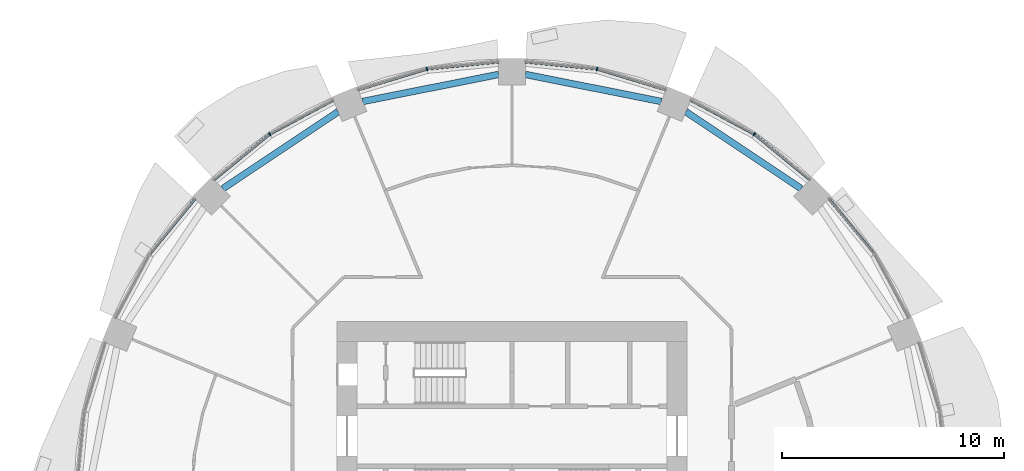
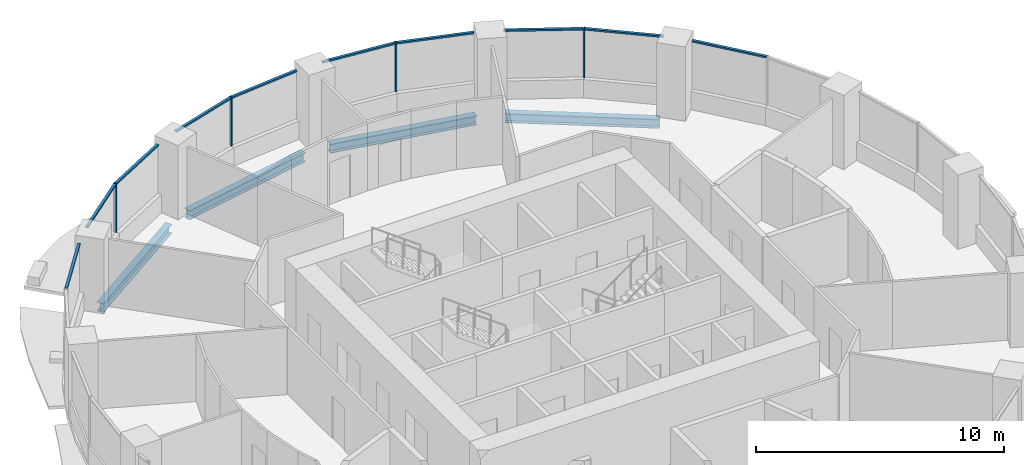
# One storey, part 6 of 15: 14 members, 4 beams, 6 elements without a shape of their own.
"""IFC4 building model written with IfcOpenShell, lengths in metres."""

from ifc_helpers import new_model, si_unit, direction, frame, origin, origin_2d, place, context, subcontext, project, spatial, rectangle, i_section, extrude, material, material_profile, profile_set, type_object, element, aggregate, save


model = new_model("IFC4")

# Units and contexts
model_context = context("Model", 3, precision=1e-05, world=origin(), true_north=direction((0.0, 1.0)))
body_context = subcontext(model_context, "Body", "Model", "MODEL_VIEW")
ifc_project = project(units=[si_unit("LENGTHUNIT", "METRE"), si_unit("AREAUNIT", "SQUARE_METRE"), si_unit("VOLUMEUNIT", "CUBIC_METRE"), si_unit("PLANEANGLEUNIT", "RADIAN"), si_unit("MASSUNIT", "GRAM", prefix="KILO")], contexts=[model_context])

# Site, building, storey
site_placement = place(None, origin())
site = spatial("IfcSite", under=ifc_project, at=site_placement, CompositionType="ELEMENT")
building_placement = place(site_placement, origin())
building = spatial("IfcBuilding", under=site, at=building_placement, Name="Polderwave Tower", CompositionType="ELEMENT")
storey_placement = place(building_placement, frame((0.0, 0.0, 44.449951171875)))
storey = spatial("IfcBuildingStorey", under=building, at=storey_placement, Name="L11", CompositionType="ELEMENT", Elevation=44.449951171875)

# Curtain wall, member
ifc_material_1 = material(Name="Aluminium 6063-T6 and glass", Category="aluminium")
curtain_wall_type = type_object("IfcCurtainWallType", Name="Growing floor ribbon glazing wall", PredefinedType="NOTDEFINED", material=ifc_material_1)
curtain_wall_1_placement = place(storey_placement, origin())
curtain_wall_1 = element("IfcCurtainWall", 1, at=curtain_wall_1_placement, inside=storey, type_object=curtain_wall_type, Name="CW2 L11 02", PredefinedType="NOTDEFINED")
ifc_material_2 = material(Name="Aluminium 6063-T6", Category="aluminium")
ifc_material_profile_1 = material_profile(ifc_material_2, rectangle(XDim=0.14990234375, YDim=0.06005859375, at=origin_2d()), Name="AL 60x150")
ifc_profile_set_1 = profile_set([ifc_material_profile_1], Name="Aluminium 6063-T6")
member_type_1 = type_object("IfcMemberType", Name="Growing floor ribbon glazing mullion 60x150", PredefinedType="MULLION", material=ifc_profile_set_1)
member_1_placement = place(storey_placement, frame((10.89501953125, 16.304931640625, 0.900146484375), z_axis=(0.0, 0.0, 1.0), x_axis=(-0.555571684207, -0.831468642648, 0.0)))
member_1 = element("IfcMember", 2, at=member_1_placement, type_object=member_type_1, Name="CW2 mullion 1", PredefinedType="MULLION", context=body_context, shape_type="SweptSolid", body=[
    extrude(rectangle(XDim=0.14990234375, YDim=0.06005859375, at=origin_2d()), origin(), (0.0, 0.0, 1.0), 2.39990234375),
])

curtain_wall_2_placement = place(storey_placement, origin())
curtain_wall_2 = element("IfcCurtainWall", 3, at=curtain_wall_2_placement, inside=storey, type_object=curtain_wall_type, Name="CW2 L11 03", PredefinedType="NOTDEFINED")
member_2_placement = place(storey_placement, frame((3.825927734375, 19.23291015625, 0.900146484375), z_axis=(0.0, 0.0, 1.0), x_axis=(-0.195177622698, -0.980767911179, 0.0)))
member_2 = element("IfcMember", 4, at=member_2_placement, type_object=member_type_1, Name="CW2 mullion 1", PredefinedType="MULLION", context=body_context, shape_type="SweptSolid", body=[
    extrude(rectangle(XDim=0.14990234375, YDim=0.06005859375, at=origin_2d()), origin(), (0.0, 0.0, 1.0), 2.39990234375),
])

curtain_wall_3_placement = place(storey_placement, origin())
curtain_wall_3 = element("IfcCurtainWall", 5, at=curtain_wall_3_placement, inside=storey, type_object=curtain_wall_type, Name="CW2 L11 04", PredefinedType="NOTDEFINED")
member_3_placement = place(storey_placement, frame((-3.825927734375, 19.23291015625, 0.900146484375), z_axis=(0.0, 0.0, 1.0), x_axis=(0.195177622698, -0.980767911179, 0.0)))
member_3 = element("IfcMember", 6, at=member_3_placement, type_object=member_type_1, Name="CW2 mullion 1", PredefinedType="MULLION", context=body_context, shape_type="SweptSolid", body=[
    extrude(rectangle(XDim=0.14990234375, YDim=0.06005859375, at=origin_2d()), origin(), (0.0, 0.0, 1.0), 2.39990234375),
])

curtain_wall_4_placement = place(storey_placement, origin())
curtain_wall_4 = element("IfcCurtainWall", 7, at=curtain_wall_4_placement, inside=storey, type_object=curtain_wall_type, Name="CW2 L11 05", PredefinedType="NOTDEFINED")
member_4_placement = place(storey_placement, frame((-10.89501953125, 16.304931640625, 0.900146484375), z_axis=(0.0, 0.0, 1.0), x_axis=(0.555571684207, -0.831468642648, 0.0)))
member_4 = element("IfcMember", 8, at=member_4_placement, type_object=member_type_1, Name="CW2 mullion 1", PredefinedType="MULLION", context=body_context, shape_type="SweptSolid", body=[
    extrude(rectangle(XDim=0.14990234375, YDim=0.06005859375, at=origin_2d()), origin(), (0.0, 0.0, 1.0), 2.39990234375),
])

curtain_wall_5_placement = place(storey_placement, origin())
curtain_wall_5 = element("IfcCurtainWall", 9, at=curtain_wall_5_placement, inside=storey, type_object=curtain_wall_type, Name="CW2 L11 01", PredefinedType="NOTDEFINED")
ifc_material_profile_2 = material_profile(ifc_material_2, rectangle(XDim=0.1201171875, YDim=0.080078125, at=origin_2d()), Name="AL 80x120")
ifc_profile_set_2 = profile_set([ifc_material_profile_2], Name="Aluminium 6063-T6")
member_type_2 = type_object("IfcMemberType", Name="Growing floor ribbon glazing transom 80x120", PredefinedType="USERDEFINED", material=ifc_profile_set_2)
member_5_placement = place(storey_placement, frame((16.285888671875, 10.918212890625, 3.260009765625), z_axis=(-0.634429639074, 0.772980616228, 0.0), x_axis=(-0.772980616228, -0.634429639074, 0.0)))
member_5 = element("IfcMember", 10, at=member_5_placement, type_object=member_type_2, Name="CW2 transom 2", ObjectType="TRANSOM", PredefinedType="USERDEFINED", context=body_context, shape_type="SweptSolid", body=[
    extrude(rectangle(XDim=0.1201171875, YDim=0.080078125, at=origin_2d()), origin(), (0.0, 0.0, 1.0), 3.21044921875),
])
aggregate(curtain_wall_5, [member_5])

# Member
member_6_placement = place(storey_placement, frame((13.39990234375, 14.2490234375, 3.260009765625), z_axis=(-0.772980616228, 0.634429639074, 0.0), x_axis=(-0.634429639074, -0.772980616228, 0.0)))
member_6 = element("IfcMember", 11, at=member_6_placement, type_object=member_type_2, Name="CW2 transom 1", ObjectType="TRANSOM", PredefinedType="USERDEFINED", context=body_context, shape_type="SweptSolid", body=[
    extrude(rectangle(XDim=0.1201171875, YDim=0.080078125, at=origin_2d()), origin(), (0.0, 0.0, 1.0), 3.21044921875),
])

member_7_placement = place(storey_placement, frame((10.868408203125, 16.319091796875, 3.260009765625), z_axis=(-0.881933848072, 0.471373193578, 0.0), x_axis=(-0.471373193578, -0.881933848072, 0.0)))
member_7 = element("IfcMember", 12, at=member_7_placement, type_object=member_type_2, Name="CW2 transom 2", ObjectType="TRANSOM", PredefinedType="USERDEFINED", context=body_context, shape_type="SweptSolid", body=[
    extrude(rectangle(XDim=0.1201171875, YDim=0.080078125, at=origin_2d()), origin(), (0.0, 0.0, 1.0), 3.211669921875),
])

aggregate(curtain_wall_1, [member_1, member_6, member_7])

member_8_placement = place(storey_placement, frame((6.927001953125, 18.2919921875, 3.260009765625), z_axis=(-0.956904728961, 0.290402031143, 0.0), x_axis=(-0.290402031143, -0.956904728961, 0.0)))
member_8 = element("IfcMember", 13, at=member_8_placement, type_object=member_type_2, Name="CW2 transom 1", ObjectType="TRANSOM", PredefinedType="USERDEFINED", context=body_context, shape_type="SweptSolid", body=[
    extrude(rectangle(XDim=0.1201171875, YDim=0.080078125, at=origin_2d()), origin(), (0.0, 0.0, 1.0), 3.210693359375),
])

member_9_placement = place(storey_placement, frame((3.796142578125, 19.23583984375, 3.260009765625), z_axis=(-0.99517249074, 0.098141294442, 0.0), x_axis=(-0.098141294442, -0.99517249074, 0.0)))
member_9 = element("IfcMember", 14, at=member_9_placement, type_object=member_type_2, Name="CW2 transom 2", ObjectType="TRANSOM", PredefinedType="USERDEFINED", context=body_context, shape_type="SweptSolid", body=[
    extrude(rectangle(XDim=0.1201171875, YDim=0.080078125, at=origin_2d()), origin(), (0.0, 0.0, 1.0), 3.211669921875),
])

aggregate(curtain_wall_2, [member_2, member_8, member_9])

member_10_placement = place(storey_placement, frame((-0.60009765625, 19.551025390625, 3.260009765625), z_axis=(-0.99517249074, -0.098141294442, 0.0), x_axis=(0.098141294442, -0.99517249074, 0.0)))
member_10 = element("IfcMember", 15, at=member_10_placement, type_object=member_type_2, Name="CW2 transom 1", ObjectType="TRANSOM", PredefinedType="USERDEFINED", context=body_context, shape_type="SweptSolid", body=[
    extrude(rectangle(XDim=0.1201171875, YDim=0.080078125, at=origin_2d()), origin(), (0.0, 0.0, 1.0), 3.211669921875),
])

member_11_placement = place(storey_placement, frame((-3.854736328125, 19.224365234375, 3.260009765625), z_axis=(-0.956904728961, -0.290402031143, 0.0), x_axis=(0.290402031143, -0.956904728961, 0.0)))
member_11 = element("IfcMember", 16, at=member_11_placement, type_object=member_type_2, Name="CW2 transom 2", ObjectType="TRANSOM", PredefinedType="USERDEFINED", context=body_context, shape_type="SweptSolid", body=[
    extrude(rectangle(XDim=0.1201171875, YDim=0.080078125, at=origin_2d()), origin(), (0.0, 0.0, 1.0), 3.210693359375),
])

aggregate(curtain_wall_3, [member_3, member_10, member_11])

member_12_placement = place(storey_placement, frame((-8.035888671875, 17.8330078125, 3.260009765625), z_axis=(-0.881933848072, -0.471373193578, 0.0), x_axis=(0.471373193578, -0.881933848072, 0.0)))
member_12 = element("IfcMember", 17, at=member_12_placement, type_object=member_type_2, Name="CW2 transom 1", ObjectType="TRANSOM", PredefinedType="USERDEFINED", context=body_context, shape_type="SweptSolid", body=[
    extrude(rectangle(XDim=0.1201171875, YDim=0.080078125, at=origin_2d()), origin(), (0.0, 0.0, 1.0), 3.211669921875),
])

member_13_placement = place(storey_placement, frame((-10.918212890625, 16.285888671875, 3.260009765625), z_axis=(-0.772980616228, -0.634429639074, 0.0), x_axis=(0.634429639074, -0.772980616228, 0.0)))
member_13 = element("IfcMember", 18, at=member_13_placement, type_object=member_type_2, Name="CW2 transom 2", ObjectType="TRANSOM", PredefinedType="USERDEFINED", context=body_context, shape_type="SweptSolid", body=[
    extrude(rectangle(XDim=0.1201171875, YDim=0.080078125, at=origin_2d()), origin(), (0.0, 0.0, 1.0), 3.21044921875),
])

aggregate(curtain_wall_4, [member_4, member_12, member_13])

# Curtain wall, member
curtain_wall_6_placement = place(storey_placement, origin())
curtain_wall_6 = element("IfcCurtainWall", 19, at=curtain_wall_6_placement, inside=storey, type_object=curtain_wall_type, Name="CW2 L11 06", PredefinedType="NOTDEFINED")
member_14_placement = place(storey_placement, frame((-14.2490234375, 13.39990234375, 3.260009765625), z_axis=(-0.634429639074, -0.772980616228, 0.0), x_axis=(0.772980616228, -0.634429639074, 0.0)))
member_14 = element("IfcMember", 20, at=member_14_placement, type_object=member_type_2, Name="CW2 transom 1", ObjectType="TRANSOM", PredefinedType="USERDEFINED", context=body_context, shape_type="SweptSolid", body=[
    extrude(rectangle(XDim=0.1201171875, YDim=0.080078125, at=origin_2d()), origin(), (0.0, 0.0, 1.0), 3.21044921875),
])
aggregate(curtain_wall_6, [member_14])

# Beams
ifc_material_3 = material(Name="Steel S355", Category="steel")
ifc_material_profile_3 = material_profile(ifc_material_3, i_section(OverallWidth=0.300048828125, OverallDepth=0.449951171875, WebThickness=0.013916015625, FlangeThickness=0.02587890625, at=origin_2d()), Name="HE 450 B")
ifc_profile_set_3 = profile_set([ifc_material_profile_3], Name="Steel S355")
beam_type = type_object("IfcBeamType", Name="RING BEAM HE 450 B", PredefinedType="BEAM", material=ifc_profile_set_3)
beam_1_placement = place(storey_placement, frame((13.004150390625, 13.852783203125, -0.574951171875), z_axis=(-0.831477355721, 0.555558644, 0.0), x_axis=(-0.555558644, -0.831477355721, 0.0)))
element("IfcBeam", 21, at=beam_1_placement, inside=storey, type_object=beam_type, Name="ST-RB-L11-02", PredefinedType="BEAM", context=body_context, shape_type="SweptSolid", body=[
    extrude(i_section(OverallWidth=0.300048828125, OverallDepth=0.449951171875, WebThickness=0.013916015625, FlangeThickness=0.02587890625, at=origin_2d()), origin(), (0.0, 0.0, 1.0), 6.232666015625),
])
for number, where, z_axis, x_axis, name in (
    (22, (6.713134765625, 17.774658203125, -0.574951171875), (-0.980782033233, 0.195106645934, 0.0), (-0.195106645934, -0.980782033233, 0.0), "ST-RB-L11-03"),
    (23, (-0.60009765625, 18.99072265625, -0.574951171875), (-0.980782033233, -0.195106645934, 0.0), (0.195106645934, -0.980782033233, 0.0), "ST-RB-L11-04"),
):
    element("IfcBeam", number, at=place(storey_placement, frame(where, z_axis=z_axis, x_axis=x_axis)), inside=storey, type_object=beam_type, Name=name, PredefinedType="BEAM", context=body_context, shape_type="SweptSolid", body=[
        extrude(i_section(OverallWidth=0.300048828125, OverallDepth=0.449951171875, WebThickness=0.013916015625, FlangeThickness=0.02587890625, at=origin_2d()), origin(), (0.0, 0.0, 1.0), 6.23291015625),
    ])
beam_2_placement = place(storey_placement, frame((-7.82177734375, 17.3154296875, -0.574951171875), z_axis=(-0.831477355721, -0.555558644, 0.0), x_axis=(0.555558644, -0.831477355721, 0.0)))
element("IfcBeam", 24, at=beam_2_placement, inside=storey, type_object=beam_type, Name="ST-RB-L11-05", PredefinedType="BEAM", context=body_context, shape_type="SweptSolid", body=[
    extrude(i_section(OverallWidth=0.300048828125, OverallDepth=0.449951171875, WebThickness=0.013916015625, FlangeThickness=0.02587890625, at=origin_2d()), origin(), (0.0, 0.0, 1.0), 6.232666015625),
])

save(model, "model.ifc")
